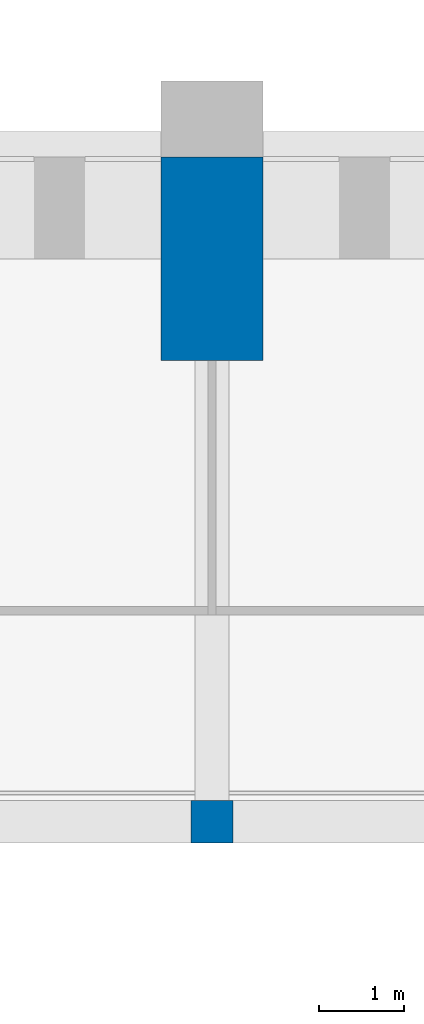
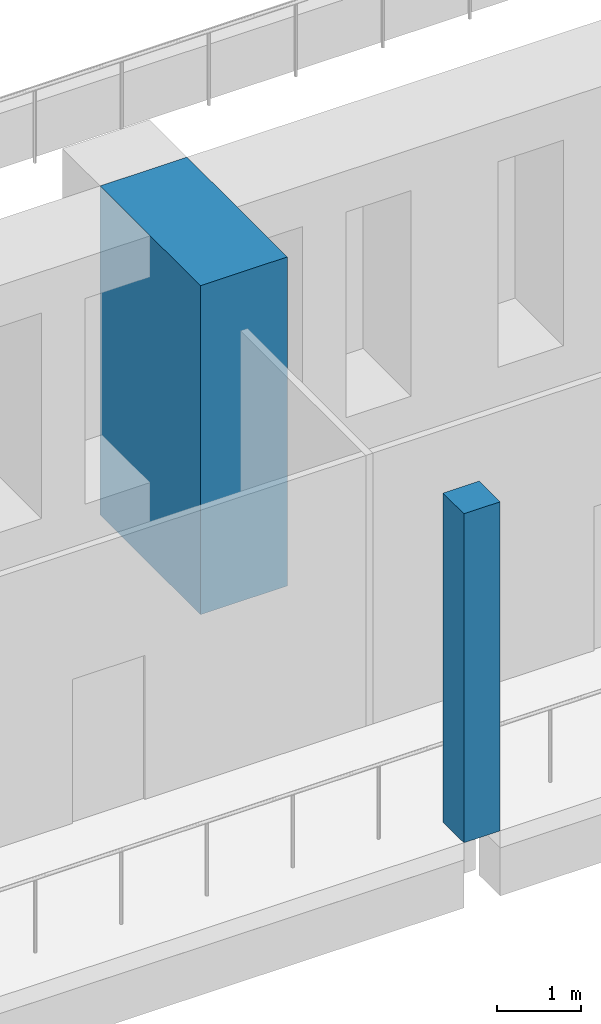
# One storey, part 18 of 131: 2 columns.
"""IFC4 building model written with IfcOpenShell, lengths in metres."""

import ifcopenshell
import ifcopenshell.guid

model = None  # the IFC model being written
_history = None  # IfcOwnerHistory: only IFC2X3 demands one
_inside = {}  # id of a spatial element -> (the spatial element, [elements in it])
_under = {}  # id of a project, library or spatial element -> (it, [spatial elements below it])
_declared = {}  # id of a project -> (the project, [libraries it declares])
_typed = {}  # id of a type object -> (the type object, [elements of that type])
_made_of = {}  # id of a material, layer set ... -> (it, [elements and type objects made of it])


def new_model(schema):
    """Start an empty IFC model of exactly this schema.

    Asked for "IFC4X3", IfcOpenShell would pick the latest addendum, in which some entities
    have other attributes; the version numbers below select the first issue.
    IFC2X3 requires an IfcOwnerHistory on every rooted entity: one is made here for all.
    """
    global model, _history
    if schema == "IFC4X3":
        model = ifcopenshell.file(schema_version=(4, 3, 0, 0))
    else:
        model = ifcopenshell.file(schema=schema)
    _inside.clear()
    _under.clear()
    _declared.clear()
    _typed.clear()
    _made_of.clear()
    _history = None
    if model.schema == "IFC2X3":
        org = make("IfcOrganization", Name="unknown")
        user = make(
            "IfcPersonAndOrganization",
            ThePerson=make("IfcPerson", FamilyName="unknown"),
            TheOrganization=org,
        )
        app = make(
            "IfcApplication",
            ApplicationDeveloper=org,
            Version="unknown",
            ApplicationFullName="unknown",
            ApplicationIdentifier="unknown",
        )
        _history = make(
            "IfcOwnerHistory",
            OwningUser=user,
            OwningApplication=app,
            ChangeAction="ADDED",
            CreationDate=0,
        )
    return model


def make(cls, **values):
    """One entity of the class cls with the attributes given. An attribute that is None is left unset."""
    return model.create_entity(
        cls, **{name: value for name, value in values.items() if value is not None}
    )


def rooted(cls, **values):
    """An entity with a GlobalId (a new one), such as an element, a storey or a relation."""
    return make(cls, GlobalId=ifcopenshell.guid.new(), OwnerHistory=_history, **values)


def si_unit(unit_type, name, prefix=None):
    """IfcSIUnit, for example si_unit("LENGTHUNIT", "METRE", prefix="MILLI")."""
    return make("IfcSIUnit", UnitType=unit_type, Prefix=prefix, Name=name)


def assignment(units):
    """IfcUnitAssignment: the units of a project."""
    return None if units is None else make("IfcUnitAssignment", Units=units)


def point(xyz):
    """IfcCartesianPoint."""
    return None if xyz is None else make("IfcCartesianPoint", Coordinates=xyz)


def direction(xyz):
    """IfcDirection."""
    return None if xyz is None else make("IfcDirection", DirectionRatios=xyz)


def frame(location, z_axis=None, x_axis=None):
    """IfcAxis2Placement3D, a coordinate frame: its origin and axes. An axis left out is left unset."""
    return make(
        "IfcAxis2Placement3D",
        Location=point(location),
        Axis=direction(z_axis),
        RefDirection=direction(x_axis),
    )


def frame_2d(location, x_axis=None):
    """IfcAxis2Placement2D, a coordinate frame in the plane: its origin and x axis."""
    return make(
        "IfcAxis2Placement2D", Location=point(location), RefDirection=direction(x_axis)
    )


def origin():
    """The frame at (0, 0, 0) with its axes left unset."""
    return frame((0.0, 0.0, 0.0))


def origin_2d():
    """The frame at (0, 0) in the plane with its x axis left unset."""
    return frame_2d((0.0, 0.0))


def place(relative_to, where):
    """IfcLocalPlacement: puts the frame where relative to a parent placement (None: the world)."""
    return make(
        "IfcLocalPlacement", PlacementRelTo=relative_to, RelativePlacement=where
    )


def context(
    kind, dimensions, precision=None, world=None, true_north=None, identifier=None
):
    """IfcGeometricRepresentationContext, for example the 3D "Model" context."""
    return make(
        "IfcGeometricRepresentationContext",
        ContextIdentifier=identifier,
        ContextType=kind,
        CoordinateSpaceDimension=dimensions,
        Precision=precision,
        WorldCoordinateSystem=world,
        TrueNorth=true_north,
    )


def subcontext(parent, identifier, kind, view, scale=None):
    """IfcGeometricRepresentationSubContext, for example "Body" below "Model"."""
    return make(
        "IfcGeometricRepresentationSubContext",
        ContextIdentifier=identifier,
        ContextType=kind,
        ParentContext=parent,
        TargetScale=scale,
        TargetView=view,
    )


def project(units=None, contexts=None):
    """IfcProject with its units and contexts."""
    return rooted(
        "IfcProject",
        Name="project",
        RepresentationContexts=contexts,
        UnitsInContext=assignment(units),
    )


def spatial(cls, under=None, at=None, **own):
    """A site, building, storey or space (cls), placed at a placement, below another one or the project."""
    s = rooted(cls, ObjectPlacement=at, **own)
    if under is not None:
        _under.setdefault(under.id(), (under, []))[1].append(s)
    return s


def profile(cls, at=None, kind="AREA", **sizes):
    """A parametric profile (cls). Its sizes go by their IFC names, for example OverallWidth=200.0."""
    return make(cls, ProfileType=kind, Position=at, **sizes)


def rectangle(**sizes):
    """IfcRectangleProfileDef."""
    return profile("IfcRectangleProfileDef", **sizes)


def extrude(swept, where, along, depth):
    """IfcExtrudedAreaSolid: the profile swept, set in the frame where, extruded along a direction by depth."""
    return make(
        "IfcExtrudedAreaSolid",
        SweptArea=swept,
        Position=where,
        ExtrudedDirection=direction(along),
        Depth=depth,
    )


def shape(context_of_items, identifier, shape_type, items):
    """IfcShapeRepresentation: the items that make up one representation, for example the "Body"."""
    return make(
        "IfcShapeRepresentation",
        ContextOfItems=context_of_items,
        RepresentationIdentifier=identifier,
        RepresentationType=shape_type,
        Items=items,
    )


def material(Name=None, Category=None):
    """IfcMaterial."""
    return make("IfcMaterial", Name=Name, Category=Category)


def material_profile(
    of_material, cross_section, Name=None, Category=None, Priority=None
):
    """IfcMaterialProfile: a cross section and its material."""
    return make(
        "IfcMaterialProfile",
        Name=Name,
        Material=of_material,
        Profile=cross_section,
        Priority=Priority,
        Category=Category,
    )


def profile_set(profiles, Name=None, composite=None):
    """IfcMaterialProfileSet."""
    return make(
        "IfcMaterialProfileSet",
        Name=Name,
        MaterialProfiles=profiles,
        CompositeProfile=composite,
    )


def made_of(thing, what):
    """Note that an element or type object is made of a material, layer set ...; save() writes the relation."""
    if what is not None:
        _made_of.setdefault(what.id(), (what, []))[1].append(thing)
    return thing


def type_object(cls, material=None, **own):
    """A type object (cls), such as IfcWallType, which elements share."""
    return made_of(rooted(cls, **own), material)


def element(
    cls,
    number,
    at=None,
    inside=None,
    cuts=None,
    type_object=None,
    material=None,
    context=None,
    identifier="Body",
    shape_type=None,
    held_by="IfcProductDefinitionShape",
    body=None,
    shapes=None,
    **own,
):
    """One element of the class cls, such as IfcWall. Its Tag is "e" and its number.

    at: its placement. inside: the storey or other place that contains it. cuts: it is an
    opening in that element (IfcRelVoidsElement). A single representation is given by context,
    identifier, shape_type and body (its items); several are given by shapes. held_by: the class
    of the entity that holds the representations. save() writes the other relations.
    """
    e = rooted(cls, Tag="e%d" % number, ObjectPlacement=at, **own)
    if body is not None:
        shapes = [shape(context, identifier, shape_type, body)]
    if shapes is not None:
        e.Representation = make(held_by, Representations=shapes)
    if inside is not None:
        _inside.setdefault(inside.id(), (inside, []))[1].append(e)
    if cuts is not None:
        rooted(
            "IfcRelVoidsElement", RelatingBuildingElement=cuts, RelatedOpeningElement=e
        )
    if type_object is not None:
        _typed.setdefault(type_object.id(), (type_object, []))[1].append(e)
    return made_of(e, material)


def aggregate(whole, parts):
    """IfcRelAggregates: a whole, such as a stair, and the parts it consists of."""
    return rooted("IfcRelAggregates", RelatingObject=whole, RelatedObjects=parts)


def save(model, path):
    """Write the relations noted so far, then the file.

    IfcRelAggregates (storeys below a building ...), IfcRelContainedInSpatialStructure (elements
    in a storey), IfcRelDefinesByType, IfcRelAssociatesMaterial and IfcRelDeclares: one each for
    every whole, place, type object, material and project.
    """
    for whole, parts in _under.values():
        aggregate(whole, parts)
    for where, things in _inside.values():
        rooted(
            "IfcRelContainedInSpatialStructure",
            RelatedElements=things,
            RelatingStructure=where,
        )
    for kind, things in _typed.values():
        rooted("IfcRelDefinesByType", RelatedObjects=things, RelatingType=kind)
    for what, things in _made_of.values():
        rooted("IfcRelAssociatesMaterial", RelatedObjects=things, RelatingMaterial=what)
    for by, libraries in _declared.values():
        rooted("IfcRelDeclares", RelatingContext=by, RelatedDefinitions=libraries)
    model.write(path)


model = new_model("IFC4")

# Units and contexts
model_context = context("Model", 3, precision=1e-05, world=origin(), true_north=direction((0.0, 1.0)))
body_context = subcontext(model_context, "Body", "Model", "MODEL_VIEW")
ifc_project = project(units=[si_unit("LENGTHUNIT", "METRE"), si_unit("AREAUNIT", "SQUARE_METRE"), si_unit("VOLUMEUNIT", "CUBIC_METRE"), si_unit("PLANEANGLEUNIT", "RADIAN"), si_unit("MASSUNIT", "GRAM", prefix="KILO")], contexts=[model_context])

# Site, building, storey
site_placement = place(None, origin())
site = spatial("IfcSite", under=ifc_project, at=site_placement, CompositionType="ELEMENT")
building_placement = place(site_placement, origin())
building = spatial("IfcBuilding", under=site, at=building_placement, Name="Alderwick Market Hall", CompositionType="ELEMENT")
storey_placement = place(building_placement, frame((0.0, 0.0, 4.800048828125)))
storey = spatial("IfcBuildingStorey", under=building, at=storey_placement, Name="L00", CompositionType="ELEMENT", Elevation=4.800048828125)

# Columns
ifc_material = material(Name="Concrete 5000 psi (f'c 35 MPa)", Category="concrete")
ifc_material_profile_1 = material_profile(ifc_material, rectangle(XDim=0.5, YDim=0.5, at=origin_2d()), Name="RC 500x500")
ifc_profile_set_1 = profile_set([ifc_material_profile_1], Name="Concrete 5000 psi (f'c 35 MPa)")
column_type_1 = type_object("IfcColumnType", Name="H Column 500x500", PredefinedType="COLUMN", material=ifc_profile_set_1)
column_1_placement = place(storey_placement, frame((93.60009765625, 100.760009765625, 0.0), z_axis=(0.0, 0.0, 1.0), x_axis=(1.0, 0.0, 0.0)))
element("IfcColumn", 1, at=column_1_placement, inside=storey, type_object=column_type_1, Name="Gallery column N10", PredefinedType="COLUMN", context=body_context, shape_type="SweptSolid", body=[
    extrude(rectangle(XDim=0.5, YDim=0.5, at=origin_2d()), origin(), (0.0, 0.0, 1.0), 4.800048828125),
])
ifc_material_profile_2 = material_profile(ifc_material, rectangle(XDim=1.199951171875, YDim=2.39990234375, at=origin_2d()), Name="RC 1200x2400")
ifc_profile_set_2 = profile_set([ifc_material_profile_2], Name="Concrete 5000 psi (f'c 35 MPa)")
column_type_2 = type_object("IfcColumnType", Name="R Buttress Pier 1200x2400", PredefinedType="COLUMN", material=ifc_profile_set_2)
column_2_placement = place(storey_placement, frame((93.60009765625, 107.39990234375, 0.0), z_axis=(0.0, 0.0, 1.0), x_axis=(1.0, 0.0, 0.0)))
element("IfcColumn", 2, at=column_2_placement, inside=storey, type_object=column_type_2, Name="Buttress pier N4 L00", PredefinedType="COLUMN", context=body_context, shape_type="SweptSolid", body=[
    extrude(rectangle(XDim=1.199951171875, YDim=2.39990234375, at=origin_2d()), origin(), (0.0, 0.0, 1.0), 4.800048828125),
])

save(model, "model.ifc")
